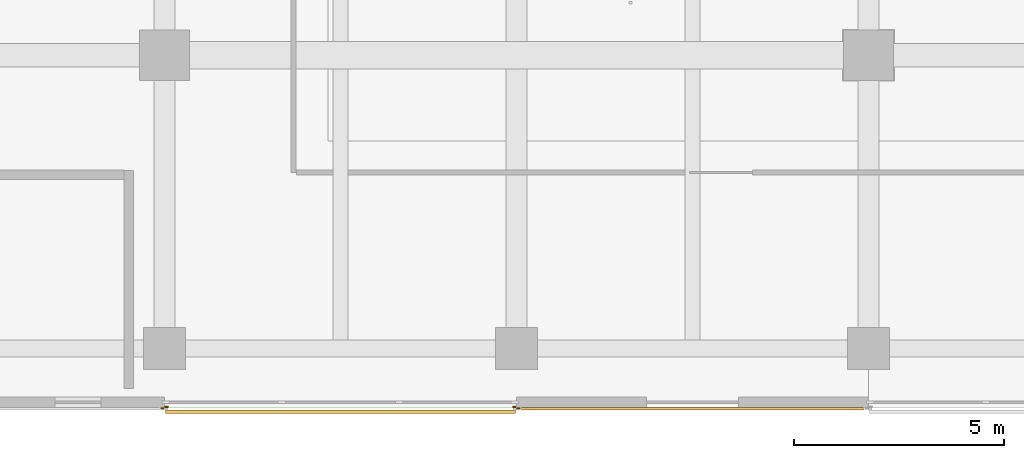
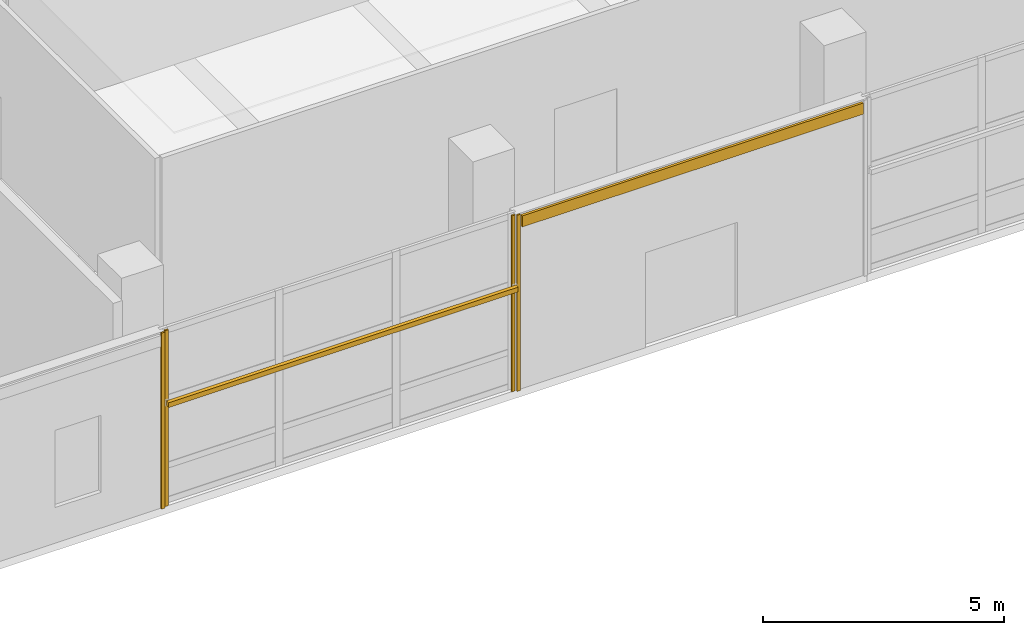
# One storey, part 100 of 140: 5 coverings, 1 shading device.
"""IFC4 building model written with IfcOpenShell, lengths in metres."""

import ifcopenshell
import ifcopenshell.guid

model = None  # the IFC model being written
_history = None  # IfcOwnerHistory: only IFC2X3 demands one
_inside = {}  # id of a spatial element -> (the spatial element, [elements in it])
_under = {}  # id of a project, library or spatial element -> (it, [spatial elements below it])
_declared = {}  # id of a project -> (the project, [libraries it declares])
_typed = {}  # id of a type object -> (the type object, [elements of that type])
_made_of = {}  # id of a material, layer set ... -> (it, [elements and type objects made of it])


def new_model(schema):
    """Start an empty IFC model of exactly this schema.

    Asked for "IFC4X3", IfcOpenShell would pick the latest addendum, in which some entities
    have other attributes; the version numbers below select the first issue.
    IFC2X3 requires an IfcOwnerHistory on every rooted entity: one is made here for all.
    """
    global model, _history
    if schema == "IFC4X3":
        model = ifcopenshell.file(schema_version=(4, 3, 0, 0))
    else:
        model = ifcopenshell.file(schema=schema)
    _inside.clear()
    _under.clear()
    _declared.clear()
    _typed.clear()
    _made_of.clear()
    _history = None
    if model.schema == "IFC2X3":
        org = make("IfcOrganization", Name="unknown")
        user = make(
            "IfcPersonAndOrganization",
            ThePerson=make("IfcPerson", FamilyName="unknown"),
            TheOrganization=org,
        )
        app = make(
            "IfcApplication",
            ApplicationDeveloper=org,
            Version="unknown",
            ApplicationFullName="unknown",
            ApplicationIdentifier="unknown",
        )
        _history = make(
            "IfcOwnerHistory",
            OwningUser=user,
            OwningApplication=app,
            ChangeAction="ADDED",
            CreationDate=0,
        )
    return model


def make(cls, **values):
    """One entity of the class cls with the attributes given. An attribute that is None is left unset."""
    return model.create_entity(
        cls, **{name: value for name, value in values.items() if value is not None}
    )


def rooted(cls, **values):
    """An entity with a GlobalId (a new one), such as an element, a storey or a relation."""
    return make(cls, GlobalId=ifcopenshell.guid.new(), OwnerHistory=_history, **values)


def si_unit(unit_type, name, prefix=None):
    """IfcSIUnit, for example si_unit("LENGTHUNIT", "METRE", prefix="MILLI")."""
    return make("IfcSIUnit", UnitType=unit_type, Prefix=prefix, Name=name)


def assignment(units):
    """IfcUnitAssignment: the units of a project."""
    return None if units is None else make("IfcUnitAssignment", Units=units)


def point(xyz):
    """IfcCartesianPoint."""
    return None if xyz is None else make("IfcCartesianPoint", Coordinates=xyz)


def direction(xyz):
    """IfcDirection."""
    return None if xyz is None else make("IfcDirection", DirectionRatios=xyz)


def frame(location, z_axis=None, x_axis=None):
    """IfcAxis2Placement3D, a coordinate frame: its origin and axes. An axis left out is left unset."""
    return make(
        "IfcAxis2Placement3D",
        Location=point(location),
        Axis=direction(z_axis),
        RefDirection=direction(x_axis),
    )


def frame_2d(location, x_axis=None):
    """IfcAxis2Placement2D, a coordinate frame in the plane: its origin and x axis."""
    return make(
        "IfcAxis2Placement2D", Location=point(location), RefDirection=direction(x_axis)
    )


def origin():
    """The frame at (0, 0, 0) with its axes left unset."""
    return frame((0.0, 0.0, 0.0))


def origin_2d():
    """The frame at (0, 0) in the plane with its x axis left unset."""
    return frame_2d((0.0, 0.0))


def place(relative_to, where):
    """IfcLocalPlacement: puts the frame where relative to a parent placement (None: the world)."""
    return make(
        "IfcLocalPlacement", PlacementRelTo=relative_to, RelativePlacement=where
    )


def context(
    kind, dimensions, precision=None, world=None, true_north=None, identifier=None
):
    """IfcGeometricRepresentationContext, for example the 3D "Model" context."""
    return make(
        "IfcGeometricRepresentationContext",
        ContextIdentifier=identifier,
        ContextType=kind,
        CoordinateSpaceDimension=dimensions,
        Precision=precision,
        WorldCoordinateSystem=world,
        TrueNorth=true_north,
    )


def subcontext(parent, identifier, kind, view, scale=None):
    """IfcGeometricRepresentationSubContext, for example "Body" below "Model"."""
    return make(
        "IfcGeometricRepresentationSubContext",
        ContextIdentifier=identifier,
        ContextType=kind,
        ParentContext=parent,
        TargetScale=scale,
        TargetView=view,
    )


def project(units=None, contexts=None):
    """IfcProject with its units and contexts."""
    return rooted(
        "IfcProject",
        Name="project",
        RepresentationContexts=contexts,
        UnitsInContext=assignment(units),
    )


def spatial(cls, under=None, at=None, **own):
    """A site, building, storey or space (cls), placed at a placement, below another one or the project."""
    s = rooted(cls, ObjectPlacement=at, **own)
    if under is not None:
        _under.setdefault(under.id(), (under, []))[1].append(s)
    return s


def profile(cls, at=None, kind="AREA", **sizes):
    """A parametric profile (cls). Its sizes go by their IFC names, for example OverallWidth=200.0."""
    return make(cls, ProfileType=kind, Position=at, **sizes)


def rectangle(**sizes):
    """IfcRectangleProfileDef."""
    return profile("IfcRectangleProfileDef", **sizes)


def extrude(swept, where, along, depth):
    """IfcExtrudedAreaSolid: the profile swept, set in the frame where, extruded along a direction by depth."""
    return make(
        "IfcExtrudedAreaSolid",
        SweptArea=swept,
        Position=where,
        ExtrudedDirection=direction(along),
        Depth=depth,
    )


def shape(context_of_items, identifier, shape_type, items):
    """IfcShapeRepresentation: the items that make up one representation, for example the "Body"."""
    return make(
        "IfcShapeRepresentation",
        ContextOfItems=context_of_items,
        RepresentationIdentifier=identifier,
        RepresentationType=shape_type,
        Items=items,
    )


def material(Name=None, Category=None):
    """IfcMaterial."""
    return make("IfcMaterial", Name=Name, Category=Category)


def layer(
    of_material, thickness, ventilated=None, Name=None, Category=None, Priority=None
):
    """IfcMaterialLayer: one layer of a wall or slab, of a material (None: an air gap)."""
    return make(
        "IfcMaterialLayer",
        Material=of_material,
        LayerThickness=thickness,
        IsVentilated=ventilated,
        Name=Name,
        Category=Category,
        Priority=Priority,
    )


def layer_set(layers, Name=None):
    """IfcMaterialLayerSet."""
    return make("IfcMaterialLayerSet", MaterialLayers=layers, LayerSetName=Name)


def made_of(thing, what):
    """Note that an element or type object is made of a material, layer set ...; save() writes the relation."""
    if what is not None:
        _made_of.setdefault(what.id(), (what, []))[1].append(thing)
    return thing


def type_object(cls, material=None, **own):
    """A type object (cls), such as IfcWallType, which elements share."""
    return made_of(rooted(cls, **own), material)


def element(
    cls,
    number,
    at=None,
    inside=None,
    cuts=None,
    type_object=None,
    material=None,
    context=None,
    identifier="Body",
    shape_type=None,
    held_by="IfcProductDefinitionShape",
    body=None,
    shapes=None,
    **own,
):
    """One element of the class cls, such as IfcWall. Its Tag is "e" and its number.

    at: its placement. inside: the storey or other place that contains it. cuts: it is an
    opening in that element (IfcRelVoidsElement). A single representation is given by context,
    identifier, shape_type and body (its items); several are given by shapes. held_by: the class
    of the entity that holds the representations. save() writes the other relations.
    """
    e = rooted(cls, Tag="e%d" % number, ObjectPlacement=at, **own)
    if body is not None:
        shapes = [shape(context, identifier, shape_type, body)]
    if shapes is not None:
        e.Representation = make(held_by, Representations=shapes)
    if inside is not None:
        _inside.setdefault(inside.id(), (inside, []))[1].append(e)
    if cuts is not None:
        rooted(
            "IfcRelVoidsElement", RelatingBuildingElement=cuts, RelatedOpeningElement=e
        )
    if type_object is not None:
        _typed.setdefault(type_object.id(), (type_object, []))[1].append(e)
    return made_of(e, material)


def aggregate(whole, parts):
    """IfcRelAggregates: a whole, such as a stair, and the parts it consists of."""
    return rooted("IfcRelAggregates", RelatingObject=whole, RelatedObjects=parts)


def save(model, path):
    """Write the relations noted so far, then the file.

    IfcRelAggregates (storeys below a building ...), IfcRelContainedInSpatialStructure (elements
    in a storey), IfcRelDefinesByType, IfcRelAssociatesMaterial and IfcRelDeclares: one each for
    every whole, place, type object, material and project.
    """
    for whole, parts in _under.values():
        aggregate(whole, parts)
    for where, things in _inside.values():
        rooted(
            "IfcRelContainedInSpatialStructure",
            RelatedElements=things,
            RelatingStructure=where,
        )
    for kind, things in _typed.values():
        rooted("IfcRelDefinesByType", RelatedObjects=things, RelatingType=kind)
    for what, things in _made_of.values():
        rooted("IfcRelAssociatesMaterial", RelatedObjects=things, RelatingMaterial=what)
    for by, libraries in _declared.values():
        rooted("IfcRelDeclares", RelatingContext=by, RelatedDefinitions=libraries)
    model.write(path)


model = new_model("IFC4")

# Units and contexts
model_context = context("Model", 3, precision=1e-05, world=origin(), true_north=direction((0.0, 1.0)))
body_context = subcontext(model_context, "Body", "Model", "MODEL_VIEW")
ifc_project = project(units=[si_unit("LENGTHUNIT", "METRE"), si_unit("AREAUNIT", "SQUARE_METRE"), si_unit("VOLUMEUNIT", "CUBIC_METRE"), si_unit("PLANEANGLEUNIT", "RADIAN"), si_unit("MASSUNIT", "GRAM", prefix="KILO")], contexts=[model_context])

# Site, building, storey
site_placement = place(None, origin())
site = spatial("IfcSite", under=ifc_project, at=site_placement, CompositionType="ELEMENT")
building_placement = place(site_placement, origin())
building = spatial("IfcBuilding", under=site, at=building_placement, Name="Telukmera Botanical Conservatory", CompositionType="ELEMENT")
storey_placement = place(building_placement, origin())
storey = spatial("IfcBuildingStorey", under=building, at=storey_placement, Name="L00", CompositionType="ELEMENT", Elevation=0.0)

# Coverings
ifc_material_1 = material(Name="Granite-faced precast concrete C40/50", Category="masonry")
ifc_layer_1 = layer(ifc_material_1, 0.0400390625)
ifc_layer_set_1 = layer_set([ifc_layer_1], Name="Granite-faced precast concrete C40/50")
covering_type_1 = type_object("IfcCoveringType", Name="Granite Precast Column Pier Reveal Casing", PredefinedType="CLADDING", material=ifc_layer_set_1)
for number, where, z_axis, x_axis, name in (
    (1, (58.748046875, 9.169921875, 0.0), (0.0, 0.0, 1.0), (1.0, 0.0, 0.0), "Granite Pier Reveal V4:L00:S1 R"),
    (2, (58.85205078125, 9.2099609375, 0.0), (0.0, 0.0, 1.0), (1.0, 0.0, 0.0), "Granite Pier Reveal V4:L00:S2 L"),
    (3, (67.14794921875, 9.2099609375, 0.0), (0.0, 0.0, 1.0), (1.0, 0.0, 0.0), "Granite Pier Reveal V4:L00:S2 R"),
    (4, (67.251953125, 9.169921875, 0.0), (0.0, 0.0, 1.0), (1.0, 0.0, 0.0), "Granite Pier Reveal V4:L00:S3 L"),
):
    element("IfcCovering", number, at=place(storey_placement, frame(where, z_axis=z_axis, x_axis=x_axis)), inside=storey, type_object=covering_type_1, Name=name, PredefinedType="CLADDING", context=body_context, shape_type="SweptSolid", body=[
        extrude(rectangle(XDim=0.080078125, YDim=0.0400390625, at=origin_2d()), origin(), (0.0, 0.0, 1.0), 4.449951171875),
    ])

# Shading device
ifc_material_2 = material(Name="Perforated terracotta-anodised aluminium 6063-T6", Category="masonry")
ifc_layer_2 = layer(ifc_material_2, 0.044921875)
ifc_layer_set_2 = layer_set([ifc_layer_2], Name="Perforated terracotta-anodised aluminium 6063-T6")
shading_device_type = type_object("IfcShadingDeviceType", Name="Perforated Terracotta Aluminium Monsoon Brise Soleil", PredefinedType="JALOUSIE", material=ifc_layer_set_2)
shading_device_placement = place(storey_placement, frame((63.0, 9.094970703125, 2.58984375), z_axis=(0.0, 0.0, 1.0), x_axis=(1.0, 0.0, 0.0)))
element("IfcShadingDevice", 5, at=shading_device_placement, inside=storey, type_object=shading_device_type, Name="Monsoon Shading BS01 V4:L00:S2", PredefinedType="JALOUSIE", context=body_context, shape_type="SweptSolid", body=[
    extrude(rectangle(XDim=8.35595703125, YDim=0.090087890625, at=origin_2d()), origin(), (0.0, 0.0, 1.0), 0.1201171875),
])

# Covering
ifc_material_3 = material(Name="Terracotta-faced precast concrete C40/50", Category="masonry")
ifc_layer_3 = layer(ifc_material_3, 0.06005859375)
ifc_layer_set_3 = layer_set([ifc_layer_3], Name="Terracotta-faced precast concrete C40/50")
covering_type_2 = type_object("IfcCoveringType", Name="Polychrome Terracotta Facade Band Cladding", PredefinedType="CLADDING", material=ifc_layer_set_3)
covering_placement = place(storey_placement, frame((71.39990234375, 9.159912109375, 4.1298828125), z_axis=(0.0, 0.0, 1.0), x_axis=(1.0, 0.0, 0.0)))
element("IfcCovering", 6, at=covering_placement, inside=storey, type_object=covering_type_2, Name="Polychrome Terracotta Band V4:L00:S3", PredefinedType="CLADDING", context=body_context, shape_type="SweptSolid", body=[
    extrude(rectangle(XDim=8.156005859375, YDim=0.06005859375, at=origin_2d()), origin(), (0.0, 0.0, 1.0), 0.280029296875),
])

save(model, "model.ifc")
